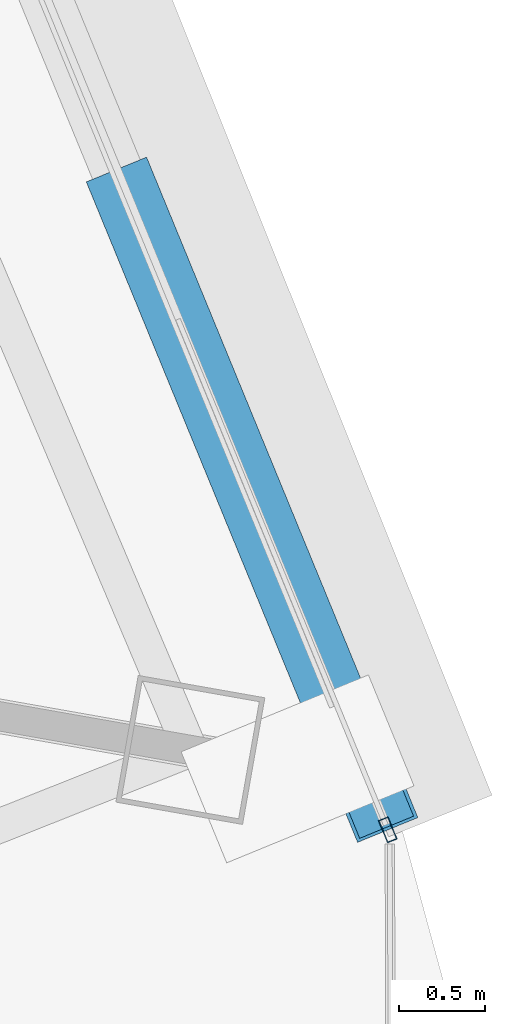
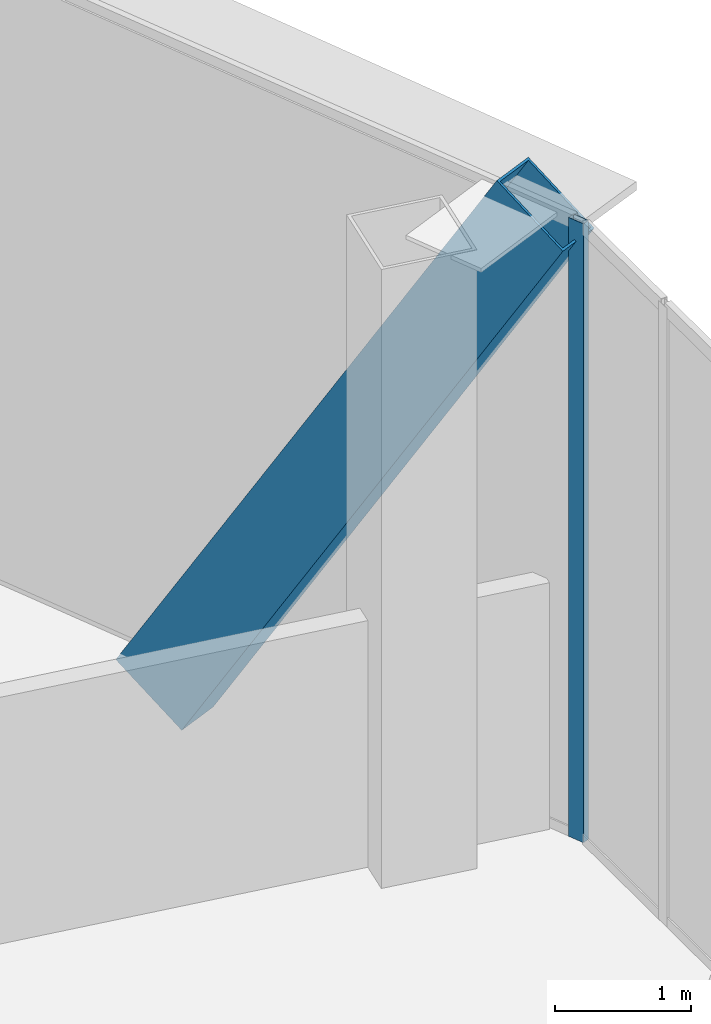
# One storey, part 16 of 33: 2 members, 1 element without a shape of its own.
"""IFC4 building model written with IfcOpenShell, lengths in metres."""

from ifc_helpers import new_model, si_unit, direction, frame, origin, origin_2d, place, context, subcontext, project, spatial, hollow_rectangle, extrude, source, transform, mapped, material, layer, layer_set, material_profile, profile_set, type_object, element, aggregate, save


model = new_model("IFC4")

# Units and contexts
model_context = context("Model", 3, precision=1e-05, world=origin(), true_north=direction((0.0, 1.0)))
body_context = subcontext(model_context, "Body", "Model", "MODEL_VIEW")
ifc_project = project(units=[si_unit("LENGTHUNIT", "METRE"), si_unit("AREAUNIT", "SQUARE_METRE"), si_unit("VOLUMEUNIT", "CUBIC_METRE"), si_unit("PLANEANGLEUNIT", "RADIAN"), si_unit("MASSUNIT", "GRAM", prefix="KILO"), si_unit("THERMODYNAMICTEMPERATUREUNIT", "KELVIN"), si_unit("POWERUNIT", "WATT")], contexts=[model_context])

# Site, building, storey
site_placement = place(None, origin())
site = spatial("IfcSite", under=ifc_project, at=site_placement, CompositionType="ELEMENT")
building_placement = place(site_placement, origin())
building = spatial("IfcBuilding", under=site, at=building_placement, Name="Yunzhuo Pagoda Commons", CompositionType="ELEMENT")
storey_placement = place(building_placement, frame((0.0, 0.0, 314.860107421875)))
storey = spatial("IfcBuildingStorey", under=building, at=storey_placement, Name="L79", CompositionType="ELEMENT", Elevation=314.860107421875)

# Member
ifc_material_1 = material(Name="Structural steel Q355B", Category="steel")
ifc_material_profile_1 = material_profile(ifc_material_1, hollow_rectangle(XDim=0.3798828125, YDim=0.719970703125, WallThickness=0.02001953125, at=origin_2d()), Name="Structural steel Q355B")
ifc_profile_set_1 = profile_set([ifc_material_profile_1], Name="Structural steel Q355B")
member_type_1 = type_object("IfcMemberType", Name="M-DL3 Brace BOX 720x380x20", PredefinedType="BRACE", material=ifc_profile_set_1)
shared_shape_1 = source(origin(), body_context, "Body", "SweptSolid", [
    extrude(hollow_rectangle(XDim=0.3798828125, YDim=0.719970703125, WallThickness=0.02001953125, at=origin_2d()), origin(), (0.0, 0.0, 1.0), 6.8251953125),
])
member_1_placement = place(storey_placement, frame((76.34716796875, 31.746826171875, -0.260009765625), z_axis=(0.197595579186, -0.481004300022, 0.854160904307), x_axis=(0.924992619868, 0.379985069692, 0.0)))
element("IfcMember", 1, at=member_1_placement, inside=storey, type_object=member_type_1, Name="L79 facade diamond brace F2.1L", PredefinedType="BRACE", context=body_context, shape_type="MappedRepresentation", body=[
    mapped(shared_shape_1, transform((0.0, 0.0, 0.0), scale=1.0)),
])

# Curtain wall, member
ifc_material_2 = material(Name="Anodized aluminium 6063-T6", Category="aluminium")
ifc_layer = layer(ifc_material_2, 0.139892578125)
ifc_layer_set = layer_set([ifc_layer], Name="Anodized aluminium 6063-T6")
curtain_wall_type = type_object("IfcCurtainWallType", Name="CW-HI High-Zone Ribbon Curtain Wall", PredefinedType="NOTDEFINED", material=ifc_layer_set)
curtain_wall_placement = place(storey_placement, origin())
curtain_wall = element("IfcCurtainWall", 2, at=curtain_wall_placement, inside=storey, type_object=curtain_wall_type, Name="L79 curtain wall CW-L79-F2B2", PredefinedType="NOTDEFINED")
ifc_material_profile_2 = material_profile(ifc_material_2, hollow_rectangle(XDim=0.06005859375, YDim=0.139892578125, WallThickness=0.00341796875, at=origin_2d()), Name="Anodized aluminium 6063-T6")
ifc_profile_set_2 = profile_set([ifc_material_profile_2], Name="Anodized aluminium 6063-T6")
member_type_2 = type_object("IfcMemberType", Name="CW-HI-M Mullion RHS 140x60x3.5", PredefinedType="MULLION", material=ifc_profile_set_2)
shared_shape_2 = source(origin(), body_context, "Body", "SweptSolid", [
    extrude(hollow_rectangle(XDim=0.06005859375, YDim=0.139892578125, WallThickness=0.00341796875, at=origin_2d()), origin(), (0.0, 0.0, 1.0), 5.56982421875),
])
member_2_placement = place(storey_placement, frame((77.812744140625, 28.180419921875, 0.0), z_axis=(0.0, 0.0, 1.0), x_axis=(-0.924975207531, -0.380027453552, 0.0)))
member_2 = element("IfcMember", 3, at=member_2_placement, type_object=member_type_2, Name="CW mullion 1", PredefinedType="MULLION", context=body_context, shape_type="MappedRepresentation", body=[
    mapped(shared_shape_2, transform((0.0, 0.0, 0.0), scale=1.0)),
])
aggregate(curtain_wall, [member_2])

save(model, "model.ifc")
